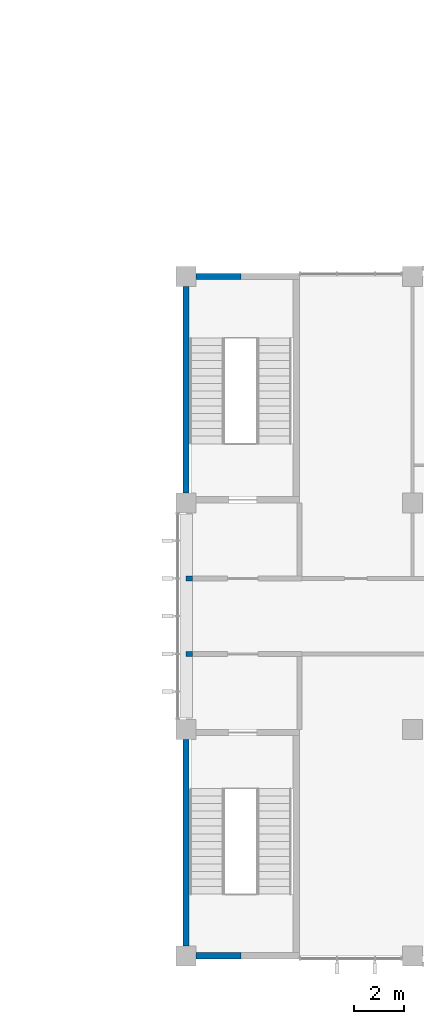
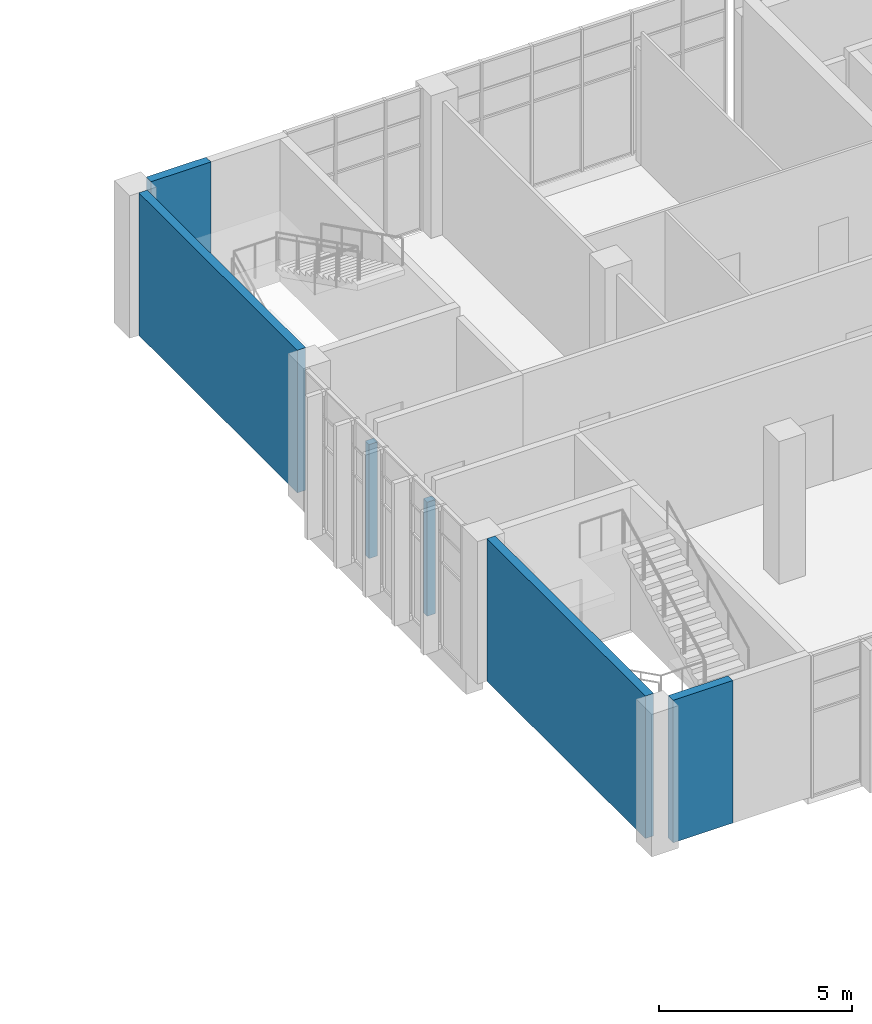
# One storey, part 24 of 40: 6 walls.
"""IFC4 building model written with IfcOpenShell, lengths in metres."""

from ifc_helpers import new_model, si_unit, direction, frame, frame_2d, origin, place, context, subcontext, project, spatial, rectangle, extrude, material, layer, layer_set, type_object, element, save


model = new_model("IFC4")

# Units and contexts
model_context = context("Model", 3, precision=1e-05, world=origin(), true_north=direction((0.0, 1.0)))
body_context = subcontext(model_context, "Body", "Model", "MODEL_VIEW")
ifc_project = project(units=[si_unit("LENGTHUNIT", "METRE"), si_unit("AREAUNIT", "SQUARE_METRE"), si_unit("VOLUMEUNIT", "CUBIC_METRE"), si_unit("PLANEANGLEUNIT", "RADIAN"), si_unit("MASSUNIT", "GRAM", prefix="KILO")], contexts=[model_context])

# Site, building, storey
site_placement = place(None, origin())
site = spatial("IfcSite", under=ifc_project, at=site_placement, CompositionType="ELEMENT")
building_placement = place(site_placement, origin())
building = spatial("IfcBuilding", under=site, at=building_placement, Name="Guidao Yard Department Store", CompositionType="ELEMENT")
storey_placement = place(building_placement, frame((0.0, 0.0, 24.0)))
storey = spatial("IfcBuildingStorey", under=building, at=storey_placement, Name="L05", CompositionType="ELEMENT", Elevation=24.0)

# Walls
ifc_material_1 = material(Name="Autoclaved aerated concrete block A3.5 B06", Category="concrete")
ifc_layer_1 = layer(ifc_material_1, 0.199951171875)
ifc_layer_set_1 = layer_set([ifc_layer_1], Name="Shaft Wall 200 Autoclaved Block EI 120")
wall_type_1 = type_object("IfcWallType", Name="Shaft Wall 200 Autoclaved Block EI 120", PredefinedType="PARTITIONING", material=ifc_layer_set_1)
for number, where, z_axis, x_axis, name in (
    (1, (126.0, 12.0, 0.0), (0.0, 0.0, 1.0), (1.0, 0.0, 0.0), "pt.wall.L05.0004"),
    (2, (126.0, 15.0, 0.0), (0.0, 0.0, 1.0), (1.0, 0.0, 0.0), "pt.wall.L05.0007"),
):
    element("IfcWall", number, at=place(storey_placement, frame(where, z_axis=z_axis, x_axis=x_axis)), inside=storey, type_object=wall_type_1, Name=name, PredefinedType="PARTITIONING", context=body_context, shape_type="SweptSolid", body=[
        extrude(rectangle(XDim=0.25, YDim=0.199951171875, at=frame_2d((0.125, 0.0))), origin(), (0.0, 0.0, 1.0), 3.60009765625),
    ])
ifc_material_2 = material(Name="Concrete C40", Category="concrete")
ifc_layer_2 = layer(ifc_material_2, 0.25)
ifc_layer_set_2 = layer_set([ifc_layer_2], Name="Wall RC 250 C40 stair and shaft")
wall_type_2 = type_object("IfcWallType", Name="Wall RC 250 C40 stair and shaft", PredefinedType="SHEAR", material=ifc_layer_set_2)
wall_1_placement = place(storey_placement, frame((126.39990234375, 0.0, 0.0), z_axis=(0.0, 0.0, 1.0), x_axis=(1.0, 0.0, 0.0)))
element("IfcWall", 3, at=wall_1_placement, inside=storey, type_object=wall_type_2, Name="Stair wall SO1", PredefinedType="SHEAR", context=body_context, shape_type="SweptSolid", body=[
    extrude(rectangle(XDim=1.7880859375, YDim=0.25, at=frame_2d((0.89404296875, 0.0))), origin(), (0.0, 0.0, 1.0), 4.5),
])
wall_2_placement = place(storey_placement, frame((126.0, 0.39990234375, 0.0), z_axis=(0.0, 0.0, 1.0), x_axis=(0.0, 1.0, 0.0)))
element("IfcWall", 4, at=wall_2_placement, inside=storey, type_object=wall_type_2, Name="Stair wall SO1", PredefinedType="SHEAR", context=body_context, shape_type="SweptSolid", body=[
    extrude(rectangle(XDim=8.2001953125, YDim=0.25, at=frame_2d((4.10009765625, 0.0))), origin(), (0.0, 0.0, 1.0), 4.5),
])
wall_3_placement = place(storey_placement, frame((126.39990234375, 27.0, 0.0), z_axis=(0.0, 0.0, 1.0), x_axis=(1.0, 0.0, 0.0)))
element("IfcWall", 5, at=wall_3_placement, inside=storey, type_object=wall_type_2, Name="Stair wall SO3", PredefinedType="SHEAR", context=body_context, shape_type="SweptSolid", body=[
    extrude(rectangle(XDim=1.7880859375, YDim=0.25, at=frame_2d((0.89404296875, 0.0))), origin(), (0.0, 0.0, 1.0), 4.5),
])
wall_4_placement = place(storey_placement, frame((126.0, 18.39990234375, 0.0), z_axis=(0.0, 0.0, 1.0), x_axis=(0.0, 1.0, 0.0)))
element("IfcWall", 6, at=wall_4_placement, inside=storey, type_object=wall_type_2, Name="Stair wall SO3", PredefinedType="SHEAR", context=body_context, shape_type="SweptSolid", body=[
    extrude(rectangle(XDim=8.2001953125, YDim=0.25, at=frame_2d((4.10009765625, 0.0))), origin(), (0.0, 0.0, 1.0), 4.5),
])

save(model, "model.ifc")
